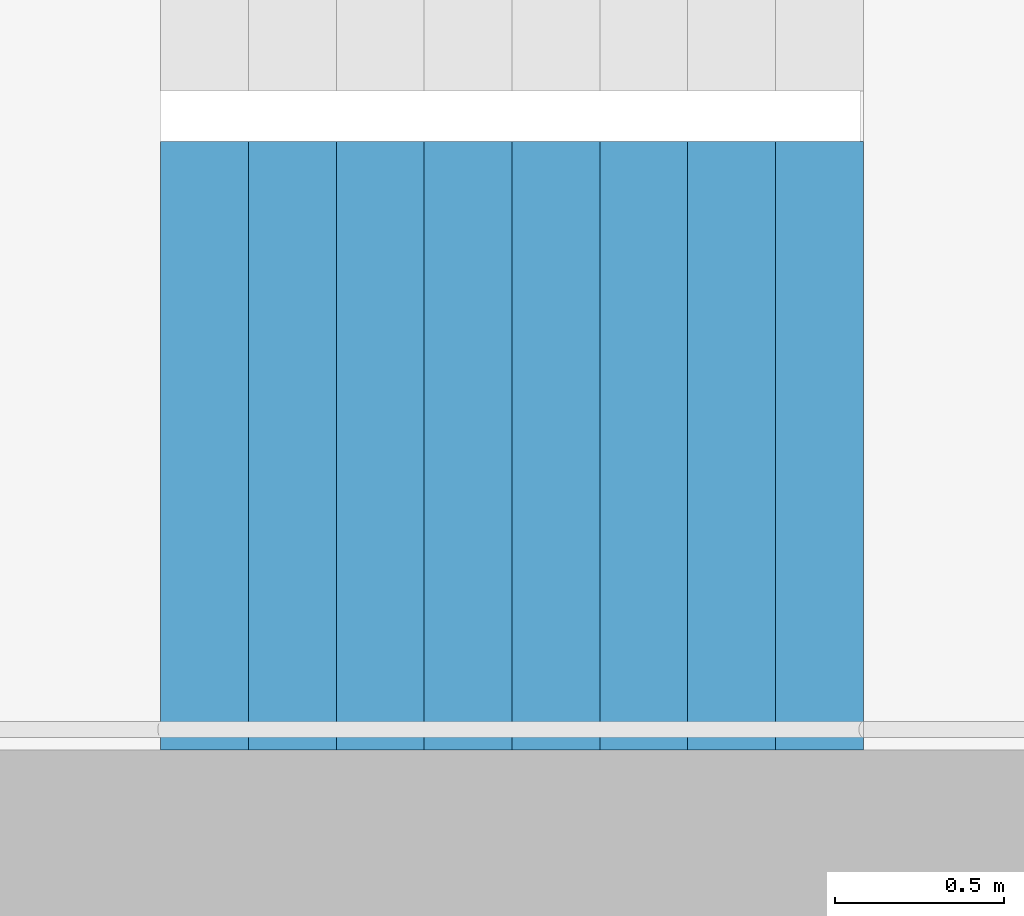
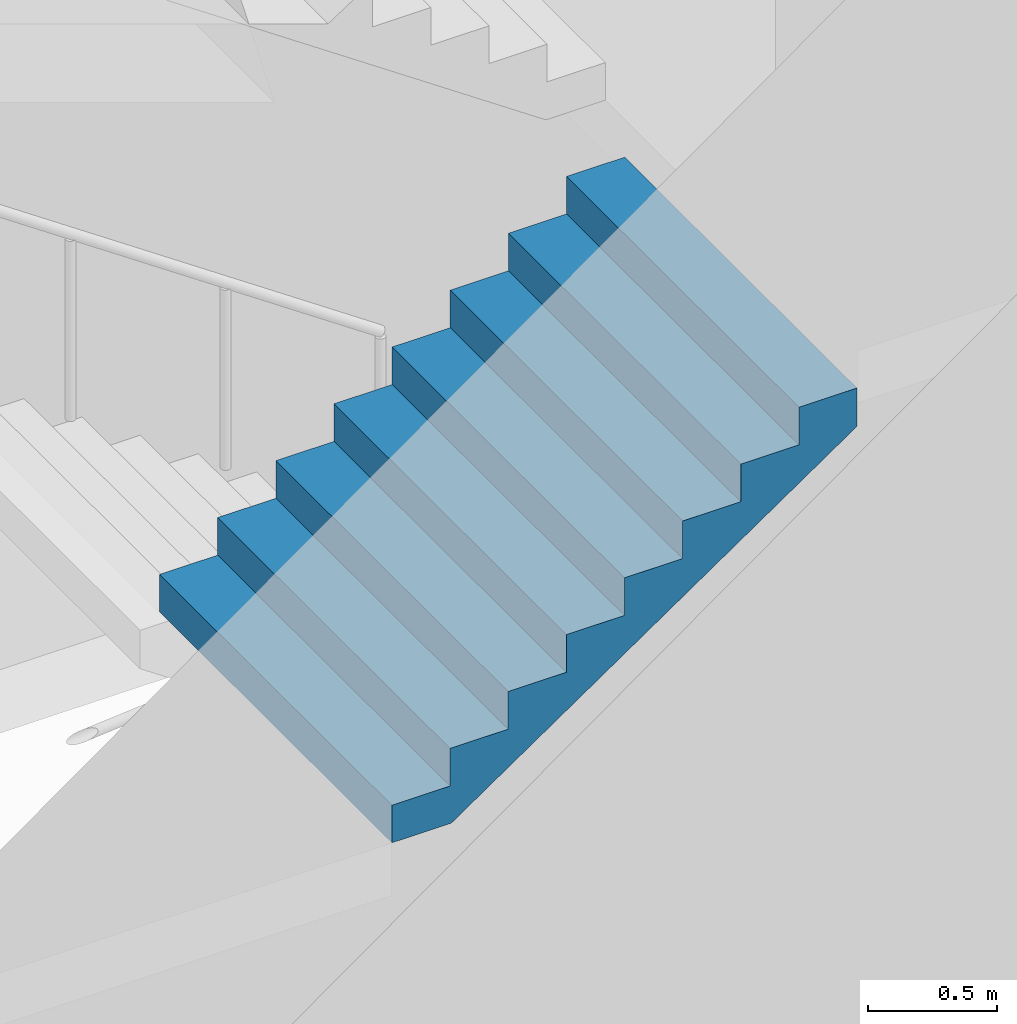
# One storey, part 16 of 42: 1 stair flight, 1 element without a shape of its own.
"""IFC4 building model written with IfcOpenShell, lengths in metres."""

from ifc_helpers import new_model, si_unit, direction, frame, origin, place, context, subcontext, project, spatial, triangles, material, type_object, element, aggregate, save


model = new_model("IFC4")

# Units and contexts
model_context = context("Model", 3, precision=1e-05, world=origin(), true_north=direction((0.0, 1.0)))
body_context = subcontext(model_context, "Body", "Model", "MODEL_VIEW")
ifc_project = project(units=[si_unit("LENGTHUNIT", "METRE"), si_unit("AREAUNIT", "SQUARE_METRE"), si_unit("VOLUMEUNIT", "CUBIC_METRE"), si_unit("PLANEANGLEUNIT", "RADIAN"), si_unit("MASSUNIT", "GRAM", prefix="KILO")], contexts=[model_context])

# Site, building, storey
site_placement = place(None, origin())
site = spatial("IfcSite", under=ifc_project, at=site_placement, CompositionType="ELEMENT")
building_placement = place(site_placement, origin())
building = spatial("IfcBuilding", under=site, at=building_placement, Name="Hakoniwa Tower and Hamabe Station Hall", CompositionType="ELEMENT")
storey_placement = place(building_placement, frame((0.0, 0.0, 232.60009765625)))
storey = spatial("IfcBuildingStorey", under=building, at=storey_placement, Name="L66", CompositionType="ELEMENT", Elevation=232.60009765625)

# Stair, stair flight
ifc_material_1 = material(Name="Concrete C40", Category="concrete")
stair_type = type_object("IfcStairType", Name="ESCAPE STAIR 1800", PredefinedType="HALF_TURN_STAIR", material=ifc_material_1)
stair_placement = place(storey_placement, origin())
stair = element("IfcStair", 1, at=stair_placement, inside=storey, type_object=stair_type, Name="Escape stair ST-2 L66", PredefinedType="HALF_TURN_STAIR")
ifc_material_2 = material(Name="Concrete C40", Category="concrete")
stair_flight_type = type_object("IfcStairFlightType", Name="STAIR FLIGHT 1800", PredefinedType="STRAIGHT", material=ifc_material_2)
stair_flight_placement = place(storey_placement, frame((-25.47998046875, -6.60009765625, 1.599853515625), z_axis=(0.0, 0.0, 1.0), x_axis=(1.0, 0.0, 0.0)))
stair_flight = element("IfcStairFlight", 2, at=stair_flight_placement, type_object=stair_flight_type, Name="ST-2 flight 2", NumberOfRisers=9, NumberOfTreads=8, PredefinedType="STRAIGHT", RiserHeight=0.177777778, TreadLength=0.26, context=body_context, shape_type="Tessellation", body=[
    triangles([(0.0, 0.89990234375, 0.0), (0.260009765625, 0.89990234375, 0.0), (0.265625, 0.89990234375, 0.0), (0.52001953125, 0.89990234375, 0.174072265625), (0.780029296875, 0.89990234375, 0.351806640625), (1.0400390625, 0.89990234375, 0.529541015625), (1.300048828125, 0.89990234375, 0.707275390625), (1.56005859375, 0.89990234375, 0.885009765625), (1.820068359375, 0.89990234375, 1.062744140625), (2.080078125, 0.89990234375, 1.24072265625), (2.080078125, 0.89990234375, 1.422119140625), (1.820068359375, 0.89990234375, 1.422119140625), (1.820068359375, 0.89990234375, 1.244384765625), (1.56005859375, 0.89990234375, 1.244384765625), (1.56005859375, 0.89990234375, 1.066650390625), (1.300048828125, 0.89990234375, 1.066650390625), (1.300048828125, 0.89990234375, 0.888916015625), (1.0400390625, 0.89990234375, 0.888916015625), (1.0400390625, 0.89990234375, 0.711181640625), (0.780029296875, 0.89990234375, 0.711181640625), (0.780029296875, 0.89990234375, 0.533447265625), (0.52001953125, 0.89990234375, 0.533447265625), (0.52001953125, 0.89990234375, 0.35546875), (0.265625, 0.89990234375, 0.35546875), (0.260009765625, 0.89990234375, 0.35546875), (0.260009765625, 0.89990234375, 0.177734375), (0.0, 0.89990234375, 0.177734375), (0.0, 0.06005859375, 0.0), (0.260009765625, 0.06005859375, 0.0), (0.265625, 0.06005859375, 0.0), (0.52001953125, 0.06005859375, 0.174072265625), (0.780029296875, 0.06005859375, 0.351806640625), (1.0400390625, 0.06005859375, 0.529541015625), (1.300048828125, 0.06005859375, 0.707275390625), (1.56005859375, 0.06005859375, 0.885009765625), (1.820068359375, 0.06005859375, 1.062744140625), (2.080078125, 0.06005859375, 1.24072265625), (2.080078125, 0.06005859375, 1.422119140625), (1.820068359375, 0.06005859375, 1.422119140625), (1.820068359375, 0.06005859375, 1.244384765625), (1.56005859375, 0.06005859375, 1.244384765625), (1.56005859375, 0.06005859375, 1.066650390625), (1.300048828125, 0.06005859375, 1.066650390625), (1.300048828125, 0.06005859375, 0.888916015625), (1.0400390625, 0.06005859375, 0.888916015625), (1.0400390625, 0.06005859375, 0.711181640625), (0.780029296875, 0.06005859375, 0.711181640625), (0.780029296875, 0.06005859375, 0.533447265625), (0.52001953125, 0.06005859375, 0.533447265625), (0.52001953125, 0.06005859375, 0.35546875), (0.265625, 0.06005859375, 0.35546875), (0.260009765625, 0.06005859375, 0.35546875), (0.260009765625, 0.06005859375, 0.177734375), (0.0, 0.06005859375, 0.177734375), (0.0, 0.04296875, 0.0), (0.260009765625, 0.04296875, 0.0), (0.265625, 0.04296875, 0.0), (0.52001953125, 0.04296875, 0.174072265625), (0.780029296875, 0.04296875, 0.351806640625), (1.0400390625, 0.04296875, 0.529541015625), (1.300048828125, 0.04296875, 0.707275390625), (1.56005859375, 0.04296875, 0.885009765625), (1.820068359375, 0.04296875, 1.062744140625), (2.080078125, 0.04296875, 1.24072265625), (2.080078125, 0.04296875, 1.422119140625), (1.820068359375, 0.04296875, 1.422119140625), (1.820068359375, 0.04296875, 1.244384765625), (1.56005859375, 0.04296875, 1.244384765625), (1.56005859375, 0.04296875, 1.066650390625), (1.300048828125, 0.04296875, 1.066650390625), (1.300048828125, 0.04296875, 0.888916015625), (1.0400390625, 0.04296875, 0.888916015625), (1.0400390625, 0.04296875, 0.711181640625), (0.780029296875, 0.04296875, 0.711181640625), (0.780029296875, 0.04296875, 0.533447265625), (0.52001953125, 0.04296875, 0.533447265625), (0.52001953125, 0.04296875, 0.35546875), (0.265625, 0.04296875, 0.35546875), (0.260009765625, 0.04296875, 0.35546875), (0.260009765625, 0.04296875, 0.177734375), (0.0, 0.04296875, 0.177734375), (0.0, 0.025634765625, 0.0), (0.260009765625, 0.025634765625, 0.0), (0.265625, 0.025634765625, 0.0), (0.52001953125, 0.025634765625, 0.174072265625), (0.780029296875, 0.025634765625, 0.351806640625), (1.0400390625, 0.025634765625, 0.529541015625), (1.300048828125, 0.025634765625, 0.707275390625), (1.56005859375, 0.025634765625, 0.885009765625), (1.820068359375, 0.025634765625, 1.062744140625), (2.080078125, 0.025634765625, 1.24072265625), (2.080078125, 0.025634765625, 1.422119140625), (1.820068359375, 0.025634765625, 1.422119140625), (1.820068359375, 0.025634765625, 1.244384765625), (1.56005859375, 0.025634765625, 1.244384765625), (1.56005859375, 0.025634765625, 1.066650390625), (1.300048828125, 0.025634765625, 1.066650390625), (1.300048828125, 0.025634765625, 0.888916015625), (1.0400390625, 0.025634765625, 0.888916015625), (1.0400390625, 0.025634765625, 0.711181640625), (0.780029296875, 0.025634765625, 0.711181640625), (0.780029296875, 0.025634765625, 0.533447265625), (0.52001953125, 0.025634765625, 0.533447265625), (0.52001953125, 0.025634765625, 0.35546875), (0.265625, 0.025634765625, 0.35546875), (0.260009765625, 0.025634765625, 0.35546875), (0.260009765625, 0.025634765625, 0.177734375), (0.0, 0.025634765625, 0.177734375), (0.0, 0.008544921875, 0.0), (0.260009765625, 0.008544921875, 0.0), (0.265625, 0.008544921875, 0.0), (0.52001953125, 0.008544921875, 0.174072265625), (0.780029296875, 0.008544921875, 0.351806640625), (1.0400390625, 0.008544921875, 0.529541015625), (1.300048828125, 0.008544921875, 0.707275390625), (1.56005859375, 0.008544921875, 0.885009765625), (1.820068359375, 0.008544921875, 1.062744140625), (2.080078125, 0.008544921875, 1.24072265625), (2.080078125, 0.008544921875, 1.422119140625), (1.820068359375, 0.008544921875, 1.422119140625), (1.820068359375, 0.008544921875, 1.244384765625), (1.56005859375, 0.008544921875, 1.244384765625), (1.56005859375, 0.008544921875, 1.066650390625), (1.300048828125, 0.008544921875, 1.066650390625), (1.300048828125, 0.008544921875, 0.888916015625), (1.0400390625, 0.008544921875, 0.888916015625), (1.0400390625, 0.008544921875, 0.711181640625), (0.780029296875, 0.008544921875, 0.711181640625), (0.780029296875, 0.008544921875, 0.533447265625), (0.52001953125, 0.008544921875, 0.533447265625), (0.52001953125, 0.008544921875, 0.35546875), (0.265625, 0.008544921875, 0.35546875), (0.260009765625, 0.008544921875, 0.35546875), (0.260009765625, 0.008544921875, 0.177734375), (0.0, 0.008544921875, 0.177734375), (0.0, -0.008544921875, 0.0), (0.260009765625, -0.008544921875, 0.0), (0.265625, -0.008544921875, 0.0), (0.52001953125, -0.008544921875, 0.174072265625), (0.780029296875, -0.008544921875, 0.351806640625), (1.0400390625, -0.008544921875, 0.529541015625), (1.300048828125, -0.008544921875, 0.707275390625), (1.56005859375, -0.008544921875, 0.885009765625), (1.820068359375, -0.008544921875, 1.062744140625), (2.080078125, -0.008544921875, 1.24072265625), (2.080078125, -0.008544921875, 1.422119140625), (1.820068359375, -0.008544921875, 1.422119140625), (1.820068359375, -0.008544921875, 1.244384765625), (1.56005859375, -0.008544921875, 1.244384765625), (1.56005859375, -0.008544921875, 1.066650390625), (1.300048828125, -0.008544921875, 1.066650390625), (1.300048828125, -0.008544921875, 0.888916015625), (1.0400390625, -0.008544921875, 0.888916015625), (1.0400390625, -0.008544921875, 0.711181640625), (0.780029296875, -0.008544921875, 0.711181640625), (0.780029296875, -0.008544921875, 0.533447265625), (0.52001953125, -0.008544921875, 0.533447265625), (0.52001953125, -0.008544921875, 0.35546875), (0.265625, -0.008544921875, 0.35546875), (0.260009765625, -0.008544921875, 0.35546875), (0.260009765625, -0.008544921875, 0.177734375), (0.0, -0.008544921875, 0.177734375), (0.0, -0.025634765625, 0.0), (0.260009765625, -0.025634765625, 0.0), (0.265625, -0.025634765625, 0.0), (0.52001953125, -0.025634765625, 0.174072265625), (0.780029296875, -0.025634765625, 0.351806640625), (1.0400390625, -0.025634765625, 0.529541015625), (1.300048828125, -0.025634765625, 0.707275390625), (1.56005859375, -0.025634765625, 0.885009765625), (1.820068359375, -0.025634765625, 1.062744140625), (2.080078125, -0.025634765625, 1.24072265625), (2.080078125, -0.025634765625, 1.422119140625), (1.820068359375, -0.025634765625, 1.422119140625), (1.820068359375, -0.025634765625, 1.244384765625), (1.56005859375, -0.025634765625, 1.244384765625), (1.56005859375, -0.025634765625, 1.066650390625), (1.300048828125, -0.025634765625, 1.066650390625), (1.300048828125, -0.025634765625, 0.888916015625), (1.0400390625, -0.025634765625, 0.888916015625), (1.0400390625, -0.025634765625, 0.711181640625), (0.780029296875, -0.025634765625, 0.711181640625), (0.780029296875, -0.025634765625, 0.533447265625), (0.52001953125, -0.025634765625, 0.533447265625), (0.52001953125, -0.025634765625, 0.35546875), (0.265625, -0.025634765625, 0.35546875), (0.260009765625, -0.025634765625, 0.35546875), (0.260009765625, -0.025634765625, 0.177734375), (0.0, -0.025634765625, 0.177734375), (0.0, -0.04296875, 0.0), (0.260009765625, -0.04296875, 0.0), (0.265625, -0.04296875, 0.0), (0.52001953125, -0.04296875, 0.174072265625), (0.780029296875, -0.04296875, 0.351806640625), (1.0400390625, -0.04296875, 0.529541015625), (1.300048828125, -0.04296875, 0.707275390625), (1.56005859375, -0.04296875, 0.885009765625), (1.820068359375, -0.04296875, 1.062744140625), (2.080078125, -0.04296875, 1.24072265625), (2.080078125, -0.04296875, 1.422119140625), (1.820068359375, -0.04296875, 1.422119140625), (1.820068359375, -0.04296875, 1.244384765625), (1.56005859375, -0.04296875, 1.244384765625), (1.56005859375, -0.04296875, 1.066650390625), (1.300048828125, -0.04296875, 1.066650390625), (1.300048828125, -0.04296875, 0.888916015625), (1.0400390625, -0.04296875, 0.888916015625), (1.0400390625, -0.04296875, 0.711181640625), (0.780029296875, -0.04296875, 0.711181640625), (0.780029296875, -0.04296875, 0.533447265625), (0.52001953125, -0.04296875, 0.533447265625), (0.52001953125, -0.04296875, 0.35546875), (0.265625, -0.04296875, 0.35546875), (0.260009765625, -0.04296875, 0.35546875), (0.260009765625, -0.04296875, 0.177734375), (0.0, -0.04296875, 0.177734375), (0.0, -0.06005859375, 0.0), (0.260009765625, -0.06005859375, 0.0), (0.265625, -0.06005859375, 0.0), (0.52001953125, -0.06005859375, 0.174072265625), (0.780029296875, -0.06005859375, 0.351806640625), (1.0400390625, -0.06005859375, 0.529541015625), (1.300048828125, -0.06005859375, 0.707275390625), (1.56005859375, -0.06005859375, 0.885009765625), (1.820068359375, -0.06005859375, 1.062744140625), (2.080078125, -0.06005859375, 1.24072265625), (2.080078125, -0.06005859375, 1.422119140625), (1.820068359375, -0.06005859375, 1.422119140625), (1.820068359375, -0.06005859375, 1.244384765625), (1.56005859375, -0.06005859375, 1.244384765625), (1.56005859375, -0.06005859375, 1.066650390625), (1.300048828125, -0.06005859375, 1.066650390625), (1.300048828125, -0.06005859375, 0.888916015625), (1.0400390625, -0.06005859375, 0.888916015625), (1.0400390625, -0.06005859375, 0.711181640625), (0.780029296875, -0.06005859375, 0.711181640625), (0.780029296875, -0.06005859375, 0.533447265625), (0.52001953125, -0.06005859375, 0.533447265625), (0.52001953125, -0.06005859375, 0.35546875), (0.265625, -0.06005859375, 0.35546875), (0.260009765625, -0.06005859375, 0.35546875), (0.260009765625, -0.06005859375, 0.177734375), (0.0, -0.06005859375, 0.177734375), (0.0, -0.89990234375, 0.0), (0.260009765625, -0.89990234375, 0.0), (0.265625, -0.89990234375, 0.0), (0.52001953125, -0.89990234375, 0.174072265625), (0.780029296875, -0.89990234375, 0.351806640625), (1.0400390625, -0.89990234375, 0.529541015625), (1.300048828125, -0.89990234375, 0.707275390625), (1.56005859375, -0.89990234375, 0.885009765625), (1.820068359375, -0.89990234375, 1.062744140625), (2.080078125, -0.89990234375, 1.24072265625), (2.080078125, -0.89990234375, 1.422119140625), (1.820068359375, -0.89990234375, 1.422119140625), (1.820068359375, -0.89990234375, 1.244384765625), (1.56005859375, -0.89990234375, 1.244384765625), (1.56005859375, -0.89990234375, 1.066650390625), (1.300048828125, -0.89990234375, 1.066650390625), (1.300048828125, -0.89990234375, 0.888916015625), (1.0400390625, -0.89990234375, 0.888916015625), (1.0400390625, -0.89990234375, 0.711181640625), (0.780029296875, -0.89990234375, 0.711181640625), (0.780029296875, -0.89990234375, 0.533447265625), (0.52001953125, -0.89990234375, 0.533447265625), (0.52001953125, -0.89990234375, 0.35546875), (0.265625, -0.89990234375, 0.35546875), (0.260009765625, -0.89990234375, 0.35546875), (0.260009765625, -0.89990234375, 0.177734375), (0.0, -0.89990234375, 0.177734375)], [[2, 27, 26], [245, 269, 270], [2, 1, 27], [245, 270, 244], [3, 25, 24], [246, 267, 268], [3, 26, 25], [246, 268, 269], [3, 2, 26], [246, 269, 245], [4, 24, 23], [247, 266, 267], [4, 3, 24], [247, 267, 246], [5, 22, 21], [248, 264, 265], [5, 23, 22], [248, 265, 266], [5, 4, 23], [248, 266, 247], [6, 20, 19], [249, 262, 263], [6, 21, 20], [249, 263, 264], [6, 5, 21], [249, 264, 248], [7, 18, 17], [250, 260, 261], [7, 19, 18], [250, 261, 262], [7, 6, 19], [250, 262, 249], [8, 16, 15], [251, 258, 259], [8, 17, 16], [251, 259, 260], [8, 7, 17], [251, 260, 250], [9, 14, 13], [252, 256, 257], [9, 15, 14], [252, 257, 258], [9, 8, 15], [252, 258, 251], [10, 12, 11], [253, 254, 255], [10, 13, 12], [253, 255, 256], [10, 9, 13], [253, 256, 252], [1, 2, 29], [1, 29, 28], [28, 29, 56], [28, 56, 55], [55, 56, 83], [55, 83, 82], [82, 83, 110], [82, 110, 109], [109, 110, 137], [109, 137, 136], [136, 137, 164], [136, 164, 163], [163, 164, 191], [163, 191, 190], [190, 191, 218], [190, 218, 217], [217, 218, 245], [217, 245, 244], [2, 3, 30], [2, 30, 29], [29, 30, 57], [29, 57, 56], [56, 57, 84], [56, 84, 83], [83, 84, 111], [83, 111, 110], [110, 111, 138], [110, 138, 137], [137, 138, 165], [137, 165, 164], [164, 165, 192], [164, 192, 191], [191, 192, 219], [191, 219, 218], [218, 219, 246], [218, 246, 245], [3, 4, 31], [3, 31, 30], [30, 31, 58], [30, 58, 57], [57, 58, 85], [57, 85, 84], [84, 85, 112], [84, 112, 111], [111, 112, 139], [111, 139, 138], [138, 139, 166], [138, 166, 165], [165, 166, 193], [165, 193, 192], [192, 193, 220], [192, 220, 219], [219, 220, 247], [219, 247, 246], [4, 5, 32], [4, 32, 31], [31, 32, 59], [31, 59, 58], [58, 59, 86], [58, 86, 85], [85, 86, 113], [85, 113, 112], [112, 113, 140], [112, 140, 139], [139, 140, 167], [139, 167, 166], [166, 167, 194], [166, 194, 193], [193, 194, 221], [193, 221, 220], [220, 221, 248], [220, 248, 247], [5, 6, 33], [5, 33, 32], [32, 33, 60], [32, 60, 59], [59, 60, 87], [59, 87, 86], [86, 87, 114], [86, 114, 113], [113, 114, 141], [113, 141, 140], [140, 141, 168], [140, 168, 167], [167, 168, 195], [167, 195, 194], [194, 195, 222], [194, 222, 221], [221, 222, 249], [221, 249, 248], [6, 7, 34], [6, 34, 33], [33, 34, 61], [33, 61, 60], [60, 61, 88], [60, 88, 87], [87, 88, 115], [87, 115, 114], [114, 115, 142], [114, 142, 141], [141, 142, 169], [141, 169, 168], [168, 169, 196], [168, 196, 195], [195, 196, 223], [195, 223, 222], [222, 223, 250], [222, 250, 249], [7, 8, 35], [7, 35, 34], [34, 35, 62], [34, 62, 61], [61, 62, 89], [61, 89, 88], [88, 89, 116], [88, 116, 115], [115, 116, 143], [115, 143, 142], [142, 143, 170], [142, 170, 169], [169, 170, 197], [169, 197, 196], [196, 197, 224], [196, 224, 223], [223, 224, 251], [223, 251, 250], [8, 9, 36], [8, 36, 35], [35, 36, 63], [35, 63, 62], [62, 63, 90], [62, 90, 89], [89, 90, 117], [89, 117, 116], [116, 117, 144], [116, 144, 143], [143, 144, 171], [143, 171, 170], [170, 171, 198], [170, 198, 197], [197, 198, 225], [197, 225, 224], [224, 225, 252], [224, 252, 251], [9, 10, 37], [9, 37, 36], [36, 37, 64], [36, 64, 63], [63, 64, 91], [63, 91, 90], [90, 91, 118], [90, 118, 117], [117, 118, 145], [117, 145, 144], [144, 145, 172], [144, 172, 171], [171, 172, 199], [171, 199, 198], [198, 199, 226], [198, 226, 225], [225, 226, 253], [225, 253, 252], [10, 11, 38], [10, 38, 37], [37, 38, 65], [37, 65, 64], [64, 65, 92], [64, 92, 91], [91, 92, 119], [91, 119, 118], [118, 119, 146], [118, 146, 145], [145, 146, 173], [145, 173, 172], [172, 173, 200], [172, 200, 199], [199, 200, 227], [199, 227, 226], [226, 227, 254], [226, 254, 253], [11, 12, 39], [11, 39, 38], [38, 39, 66], [38, 66, 65], [65, 66, 93], [65, 93, 92], [92, 93, 120], [92, 120, 119], [119, 120, 147], [119, 147, 146], [146, 147, 174], [146, 174, 173], [173, 174, 201], [173, 201, 200], [200, 201, 228], [200, 228, 227], [227, 228, 255], [227, 255, 254], [12, 13, 40], [12, 40, 39], [39, 40, 67], [39, 67, 66], [66, 67, 94], [66, 94, 93], [93, 94, 121], [93, 121, 120], [120, 121, 148], [120, 148, 147], [147, 148, 175], [147, 175, 174], [174, 175, 202], [174, 202, 201], [201, 202, 229], [201, 229, 228], [228, 229, 256], [228, 256, 255], [13, 14, 41], [13, 41, 40], [40, 41, 68], [40, 68, 67], [67, 68, 95], [67, 95, 94], [94, 95, 122], [94, 122, 121], [121, 122, 149], [121, 149, 148], [148, 149, 176], [148, 176, 175], [175, 176, 203], [175, 203, 202], [202, 203, 230], [202, 230, 229], [229, 230, 257], [229, 257, 256], [14, 15, 42], [14, 42, 41], [41, 42, 69], [41, 69, 68], [68, 69, 96], [68, 96, 95], [95, 96, 123], [95, 123, 122], [122, 123, 150], [122, 150, 149], [149, 150, 177], [149, 177, 176], [176, 177, 204], [176, 204, 203], [203, 204, 231], [203, 231, 230], [230, 231, 258], [230, 258, 257], [15, 16, 43], [15, 43, 42], [42, 43, 70], [42, 70, 69], [69, 70, 97], [69, 97, 96], [96, 97, 124], [96, 124, 123], [123, 124, 151], [123, 151, 150], [150, 151, 178], [150, 178, 177], [177, 178, 205], [177, 205, 204], [204, 205, 232], [204, 232, 231], [231, 232, 259], [231, 259, 258], [16, 17, 44], [16, 44, 43], [43, 44, 71], [43, 71, 70], [70, 71, 98], [70, 98, 97], [97, 98, 125], [97, 125, 124], [124, 125, 152], [124, 152, 151], [151, 152, 179], [151, 179, 178], [178, 179, 206], [178, 206, 205], [205, 206, 233], [205, 233, 232], [232, 233, 260], [232, 260, 259], [17, 18, 45], [17, 45, 44], [44, 45, 72], [44, 72, 71], [71, 72, 99], [71, 99, 98], [98, 99, 126], [98, 126, 125], [125, 126, 153], [125, 153, 152], [152, 153, 180], [152, 180, 179], [179, 180, 207], [179, 207, 206], [206, 207, 234], [206, 234, 233], [233, 234, 261], [233, 261, 260], [18, 19, 46], [18, 46, 45], [45, 46, 73], [45, 73, 72], [72, 73, 100], [72, 100, 99], [99, 100, 127], [99, 127, 126], [126, 127, 154], [126, 154, 153], [153, 154, 181], [153, 181, 180], [180, 181, 208], [180, 208, 207], [207, 208, 235], [207, 235, 234], [234, 235, 262], [234, 262, 261], [19, 20, 47], [19, 47, 46], [46, 47, 74], [46, 74, 73], [73, 74, 101], [73, 101, 100], [100, 101, 128], [100, 128, 127], [127, 128, 155], [127, 155, 154], [154, 155, 182], [154, 182, 181], [181, 182, 209], [181, 209, 208], [208, 209, 236], [208, 236, 235], [235, 236, 263], [235, 263, 262], [20, 21, 48], [20, 48, 47], [47, 48, 75], [47, 75, 74], [74, 75, 102], [74, 102, 101], [101, 102, 129], [101, 129, 128], [128, 129, 156], [128, 156, 155], [155, 156, 183], [155, 183, 182], [182, 183, 210], [182, 210, 209], [209, 210, 237], [209, 237, 236], [236, 237, 264], [236, 264, 263], [21, 22, 49], [21, 49, 48], [48, 49, 76], [48, 76, 75], [75, 76, 103], [75, 103, 102], [102, 103, 130], [102, 130, 129], [129, 130, 157], [129, 157, 156], [156, 157, 184], [156, 184, 183], [183, 184, 211], [183, 211, 210], [210, 211, 238], [210, 238, 237], [237, 238, 265], [237, 265, 264], [22, 23, 50], [22, 50, 49], [49, 50, 77], [49, 77, 76], [76, 77, 104], [76, 104, 103], [103, 104, 131], [103, 131, 130], [130, 131, 158], [130, 158, 157], [157, 158, 185], [157, 185, 184], [184, 185, 212], [184, 212, 211], [211, 212, 239], [211, 239, 238], [238, 239, 266], [238, 266, 265], [23, 24, 51], [23, 51, 50], [50, 51, 78], [50, 78, 77], [77, 78, 105], [77, 105, 104], [104, 105, 132], [104, 132, 131], [131, 132, 159], [131, 159, 158], [158, 159, 186], [158, 186, 185], [185, 186, 213], [185, 213, 212], [212, 213, 240], [212, 240, 239], [239, 240, 267], [239, 267, 266], [24, 25, 52], [24, 52, 51], [51, 52, 79], [51, 79, 78], [78, 79, 106], [78, 106, 105], [105, 106, 133], [105, 133, 132], [132, 133, 160], [132, 160, 159], [159, 160, 187], [159, 187, 186], [186, 187, 214], [186, 214, 213], [213, 214, 241], [213, 241, 240], [240, 241, 268], [240, 268, 267], [25, 26, 53], [25, 53, 52], [52, 53, 80], [52, 80, 79], [79, 80, 107], [79, 107, 106], [106, 107, 134], [106, 134, 133], [133, 134, 161], [133, 161, 160], [160, 161, 188], [160, 188, 187], [187, 188, 215], [187, 215, 214], [214, 215, 242], [214, 242, 241], [241, 242, 269], [241, 269, 268], [26, 27, 54], [26, 54, 53], [53, 54, 81], [53, 81, 80], [80, 81, 108], [80, 108, 107], [107, 108, 135], [107, 135, 134], [134, 135, 162], [134, 162, 161], [161, 162, 189], [161, 189, 188], [188, 189, 216], [188, 216, 215], [215, 216, 243], [215, 243, 242], [242, 243, 270], [242, 270, 269], [27, 1, 28], [27, 28, 54], [54, 28, 55], [54, 55, 81], [81, 55, 82], [81, 82, 108], [108, 82, 109], [108, 109, 135], [135, 109, 136], [135, 136, 162], [162, 136, 163], [162, 163, 189], [189, 163, 190], [189, 190, 216], [216, 190, 217], [216, 217, 243], [243, 217, 244], [243, 244, 270]], closed=True),
])
aggregate(stair, [stair_flight])

save(model, "model.ifc")
